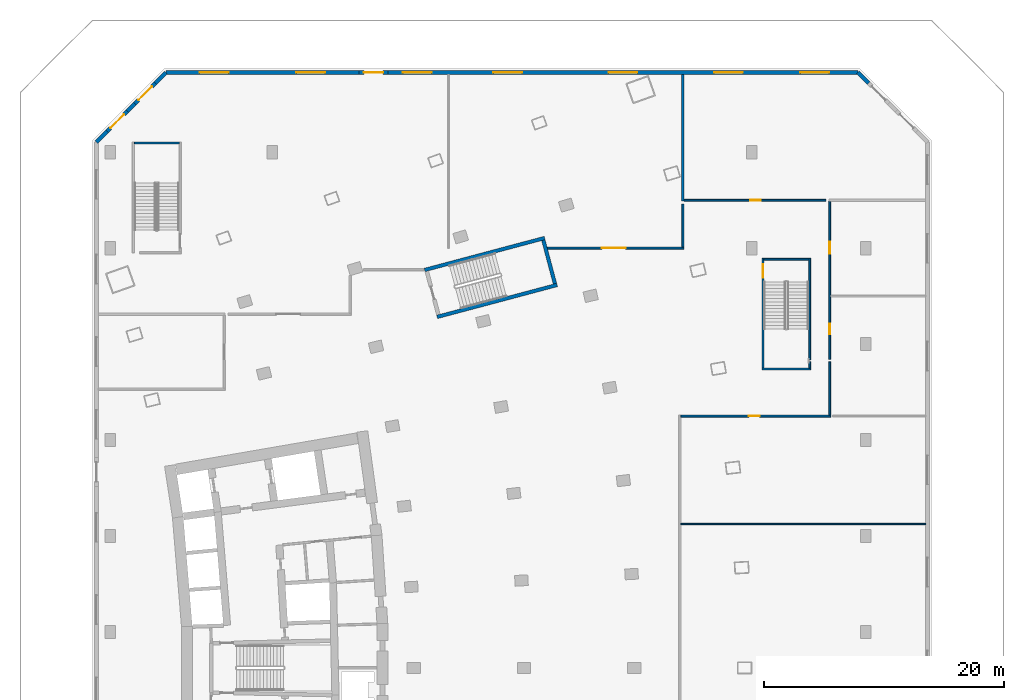
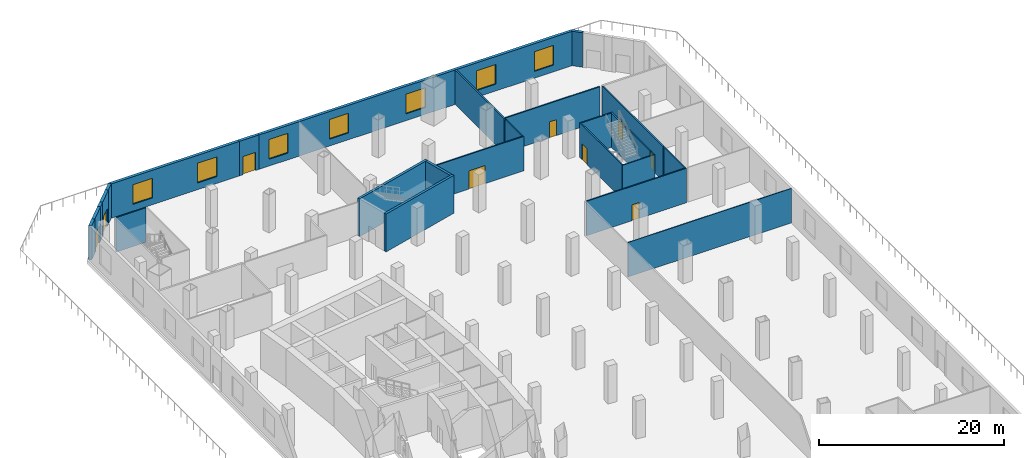
# One storey, part 8 of 15: 26 walls, 9 doors, 7 windows, 16 openings.
"""IFC4 building model written with IfcOpenShell, lengths in metres."""

from ifc_helpers import new_model, si_unit, direction, frame, frame_2d, origin, place, context, subcontext, project, spatial, rectangle, extrude, material, layer, layer_set, type_object, element, fill, save


model = new_model("IFC4")

# Units and contexts
model_context = context("Model", 3, precision=1e-05, world=origin(), true_north=direction((0.0, 1.0)))
body_context = subcontext(model_context, "Body", "Model", "MODEL_VIEW")
ifc_project = project(units=[si_unit("LENGTHUNIT", "METRE"), si_unit("AREAUNIT", "SQUARE_METRE"), si_unit("VOLUMEUNIT", "CUBIC_METRE"), si_unit("PLANEANGLEUNIT", "RADIAN"), si_unit("MASSUNIT", "GRAM", prefix="KILO")], contexts=[model_context])

# Site, building, storey
site_placement = place(None, origin())
site = spatial("IfcSite", under=ifc_project, at=site_placement, CompositionType="ELEMENT")
building_placement = place(site_placement, origin())
building = spatial("IfcBuilding", under=site, at=building_placement, Name="Alderwake Tower", CompositionType="ELEMENT")
storey_placement = place(building_placement, frame((0.0, 0.0, 13.5)))
storey = spatial("IfcBuildingStorey", under=building, at=storey_placement, Name="L02", CompositionType="ELEMENT", Elevation=13.5)

# Walls
ifc_material_1 = material(Name="Concrete C70/85", Category="concrete")
ifc_layer_1 = layer(ifc_material_1, 0.300048828125)
ifc_layer_set_1 = layer_set([ifc_layer_1], Name="Core wall stair enclosure 300 C70-85")
wall_type_1 = type_object("IfcWallType", Name="Core wall stair enclosure 300 C70-85", PredefinedType="SHEAR", material=ifc_layer_set_1)
for number, where, z_axis, x_axis, name in (
    (1, (36.71142578125, 94.182373046875, 0.0), (0.0, 0.0, 1.0), (0.966309214305, 0.257383958996, 0.0), "Core wall CW.082"),
    (2, (37.75390625, 90.268798828125, 0.0), (0.0, 0.0, 1.0), (0.966309214305, 0.257383958996, 0.0), "Core wall CW.084"),
):
    element("IfcWall", number, at=place(storey_placement, frame(where, z_axis=z_axis, x_axis=x_axis)), inside=storey, type_object=wall_type_1, Name=name, PredefinedType="SHEAR", context=body_context, shape_type="SweptSolid", body=[
        extrude(rectangle(XDim=10.360107421875, YDim=0.300048828125, at=frame_2d((5.18017578125, 0.0))), origin(), (0.0, 0.0, 1.0), 5.0),
    ])
wall_1_placement = place(storey_placement, frame((47.581298828125, 93.041748046875, 0.0), z_axis=(0.0, 0.0, 1.0), x_axis=(-0.257366821694, 0.966313778796, 0.0)))
element("IfcWall", 3, at=wall_1_placement, inside=storey, type_object=wall_type_1, Name="Core wall CW.081", PredefinedType="SHEAR", context=body_context, shape_type="SweptSolid", body=[
    extrude(rectangle(XDim=3.749755859375, YDim=0.300048828125, at=frame_2d((1.875, 0.0))), origin(), (0.0, 0.0, 1.0), 5.0),
])

# Wall, opening, door
ifc_material_2 = material(Name="Gypsum board on metal studs, rated")
ifc_layer_2 = layer(ifc_material_2, 0.159912109375)
ifc_layer_set_2 = layer_set([ifc_layer_2], Name="Corridor wall 160")
wall_type_2 = type_object("IfcWallType", Name="Corridor wall 160", PredefinedType="PARTITIONING", material=ifc_layer_set_2)
wall_2_placement = place(storey_placement, frame((58.0791015625, 81.9990234375, 0.0), z_axis=(0.0, 0.0, 1.0), x_axis=(1.0, 0.0, 0.0)))
wall_2 = element("IfcWall", 4, at=wall_2_placement, inside=storey, type_object=wall_type_2, Name="WL/L02/W50", PredefinedType="PARTITIONING", context=body_context, shape_type="SweptSolid", body=[
    extrude(rectangle(XDim=12.5009765625, YDim=0.159912109375, at=frame_2d((6.25048828125, 0.0))), origin(), (0.0, 0.0, 1.0), 4.550048828125),
])
opening_1_placement = place(wall_2_placement, frame((5.6708984375, 0.0, 0.0)))
opening_1 = element("IfcOpeningElement", 5, at=opening_1_placement, cuts=wall_2, Name="Opening L02-02", PredefinedType="OPENING", context=body_context, shape_type="SweptSolid", body=[
    extrude(rectangle(XDim=0.89990234375, YDim=2.10009765625, at=frame_2d((0.449951171875, 1.050048828125))), frame((0.0, 0.08984375, 0.0), z_axis=(0.0, -1.0, 0.0), x_axis=(1.0, 0.0, 0.0)), (0.0, 0.0, 1.0), 0.179931640625),
])
ifc_material_3 = material(Name="Painted timber leaf", Category="wood")
door_type_1 = type_object("IfcDoorType", Name="Room door 900", OperationType="SINGLE_SWING_LEFT", PredefinedType="DOOR", material=ifc_material_3)
door_1_placement = place(opening_1_placement, origin())
door_1 = element("IfcDoor", 6, at=door_1_placement, inside=storey, type_object=door_type_1, Name="DR/L02/02", OperationType="SINGLE_SWING_LEFT", OverallHeight=2.10009765625, OverallWidth=0.89990234375, PredefinedType="DOOR", context=body_context, shape_type="SweptSolid", body=[
    extrude(rectangle(XDim=0.89990234375, YDim=2.10009765625, at=frame_2d((0.449951171875, 1.050048828125))), frame((0.0, 0.02490234375, 0.0), z_axis=(0.0, -1.0, 0.0), x_axis=(1.0, 0.0, 0.0)), (0.0, 0.0, 1.0), 0.050048828125),
])
fill(opening_1, door_1)

wall_3_placement = place(storey_placement, frame((58.3310546875, 96.0, 0.0), z_axis=(0.0, 0.0, 1.0), x_axis=(-1.0, 0.0, 0.0)))
wall_3 = element("IfcWall", 7, at=wall_3_placement, inside=storey, type_object=wall_type_2, Name="WL/L02/W51", PredefinedType="PARTITIONING", context=body_context, shape_type="SweptSolid", body=[
    extrude(rectangle(XDim=11.381103515625, YDim=0.159912109375, at=frame_2d((5.6904296875, 0.0))), origin(), (0.0, 0.0, 1.0), 4.550048828125),
])
opening_2_placement = place(wall_3_placement, frame((4.8310546875, 0.0, 0.0)))
opening_2 = element("IfcOpeningElement", 8, at=opening_2_placement, cuts=wall_3, Name="Opening L02-07", PredefinedType="OPENING", context=body_context, shape_type="SweptSolid", body=[
    extrude(rectangle(XDim=2.0, YDim=2.39990234375, at=frame_2d((1.0, 1.199951171875))), frame((0.0, 0.08984375, 0.0), z_axis=(0.0, -1.0, 0.0), x_axis=(1.0, 0.0, 0.0)), (0.0, 0.0, 1.0), 0.179931640625),
])
ifc_material_4 = material(Name="Timber leaves with glazed panels", Category="wood")
door_type_2 = type_object("IfcDoorType", Name="Hall double door 2000", OperationType="DOUBLE_DOOR_SINGLE_SWING", PredefinedType="DOOR", material=ifc_material_4)
door_2_placement = place(opening_2_placement, origin())
door_2 = element("IfcDoor", 9, at=door_2_placement, inside=storey, type_object=door_type_2, Name="DR/L02/07", OperationType="DOUBLE_DOOR_SINGLE_SWING", OverallHeight=2.39990234375, OverallWidth=2.0, PredefinedType="DOOR", context=body_context, shape_type="SweptSolid", body=[
    extrude(rectangle(XDim=2.0, YDim=2.39990234375, at=frame_2d((1.0, 1.199951171875))), frame((0.0, 0.02490234375, 0.0), z_axis=(0.0, -1.0, 0.0), x_axis=(1.0, 0.0, 0.0)), (0.0, 0.0, 1.0), 0.050048828125),
])
fill(opening_2, door_2)

# Walls
wall_4_placement = place(storey_placement, frame((58.2509765625, 99.665771484375, 0.0), z_axis=(0.0, 0.0, 1.0), x_axis=(0.0, -1.0, 0.0)))
element("IfcWall", 10, at=wall_4_placement, inside=storey, type_object=wall_type_2, Name="WL/L02/W52", PredefinedType="PARTITIONING", context=body_context, shape_type="SweptSolid", body=[
    extrude(rectangle(XDim=3.585693359375, YDim=0.159912109375, at=frame_2d((1.79296875, 0.0))), origin(), (0.0, 0.0, 1.0), 4.550048828125),
])
wall_5_placement = place(storey_placement, frame((70.5, 82.0791015625, 0.0), z_axis=(0.0, 0.0, 1.0), x_axis=(0.0, 1.0, 0.0)))
element("IfcWall", 11, at=wall_5_placement, inside=storey, type_object=wall_type_2, Name="WL/L02/W56", PredefinedType="PARTITIONING", context=body_context, shape_type="SweptSolid", body=[
    extrude(rectangle(XDim=4.43701171875, YDim=0.159912109375, at=frame_2d((2.218505859375, 0.0))), origin(), (0.0, 0.0, 1.0), 4.550048828125),
])

# Wall, openings, doors
wall_6_placement = place(storey_placement, frame((70.5, 86.7236328125, 0.0), z_axis=(0.0, 0.0, 1.0), x_axis=(0.0, 1.0, 0.0)))
wall_6 = element("IfcWall", 12, at=wall_6_placement, inside=storey, type_object=wall_type_2, Name="WL/L02/W57", PredefinedType="PARTITIONING", context=body_context, shape_type="SweptSolid", body=[
    extrude(rectangle(XDim=13.17529296875, YDim=0.159912109375, at=frame_2d((6.587646484375, 0.0))), origin(), (0.0, 0.0, 1.0), 4.550048828125),
])
opening_3_placement = place(wall_6_placement, frame((2.083251953125, 0.0, 0.0)))
opening_3 = element("IfcOpeningElement", 13, at=opening_3_placement, cuts=wall_6, Name="Opening L02-03", PredefinedType="OPENING", context=body_context, shape_type="SweptSolid", body=[
    extrude(rectangle(XDim=0.89990234375, YDim=2.10009765625, at=frame_2d((0.449951171875, 1.050048828125))), frame((0.0, 0.08984375, 0.0), z_axis=(0.0, -1.0, 0.0), x_axis=(1.0, 0.0, 0.0)), (0.0, 0.0, 1.0), 0.179931640625),
])
opening_4_placement = place(wall_6_placement, frame((8.826416015625, 0.0, 0.0)))
opening_4 = element("IfcOpeningElement", 14, at=opening_4_placement, cuts=wall_6, Name="Opening L02-04", PredefinedType="OPENING", context=body_context, shape_type="SweptSolid", body=[
    extrude(rectangle(XDim=1.0, YDim=2.10009765625, at=frame_2d((0.5, 1.050048828125))), frame((0.0, 0.08984375, 0.0), z_axis=(0.0, -1.0, 0.0), x_axis=(1.0, 0.0, 0.0)), (0.0, 0.0, 1.0), 0.179931640625),
])
ifc_material_5 = material(Name="Painted timber leaf", Category="wood")
door_type_3 = type_object("IfcDoorType", Name="Accessible WC door 1000", OperationType="SINGLE_SWING_LEFT", PredefinedType="DOOR", material=ifc_material_5)
door_3_placement = place(opening_4_placement, origin())
door_3 = element("IfcDoor", 15, at=door_3_placement, inside=storey, type_object=door_type_3, Name="DR/L02/04", OperationType="SINGLE_SWING_LEFT", OverallHeight=2.10009765625, OverallWidth=1.0, PredefinedType="DOOR", context=body_context, shape_type="SweptSolid", body=[
    extrude(rectangle(XDim=1.0, YDim=2.10009765625, at=frame_2d((0.5, 1.050048828125))), frame((0.0, 0.02490234375, 0.0), z_axis=(0.0, -1.0, 0.0), x_axis=(1.0, 0.0, 0.0)), (0.0, 0.0, 1.0), 0.050048828125),
])
fill(opening_4, door_3)
door_4_placement = place(opening_3_placement, origin())
door_4 = element("IfcDoor", 16, at=door_4_placement, inside=storey, type_object=door_type_1, Name="DR/L02/03", OperationType="SINGLE_SWING_LEFT", OverallHeight=2.10009765625, OverallWidth=0.89990234375, PredefinedType="DOOR", context=body_context, shape_type="SweptSolid", body=[
    extrude(rectangle(XDim=0.89990234375, YDim=2.10009765625, at=frame_2d((0.449951171875, 1.050048828125))), frame((0.0, 0.02490234375, 0.0), z_axis=(0.0, -1.0, 0.0), x_axis=(1.0, 0.0, 0.0)), (0.0, 0.0, 1.0), 0.050048828125),
])
fill(opening_3, door_4)

# Wall, opening, door
wall_7_placement = place(storey_placement, frame((70.166748046875, 99.9990234375, 0.0), z_axis=(0.0, 0.0, 1.0), x_axis=(-1.0, 0.0, 0.0)))
wall_7 = element("IfcWall", 17, at=wall_7_placement, inside=storey, type_object=wall_type_2, Name="WL/L02/W58", PredefinedType="PARTITIONING", context=body_context, shape_type="SweptSolid", body=[
    extrude(rectangle(XDim=11.815673828125, YDim=0.159912109375, at=frame_2d((5.90771484375, 0.0))), origin(), (0.0, 0.0, 1.0), 4.550048828125),
])
opening_5_placement = place(wall_7_placement, frame((5.416748046875, 0.0, 0.0)))
opening_5 = element("IfcOpeningElement", 18, at=opening_5_placement, cuts=wall_7, Name="Opening L02-05", PredefinedType="OPENING", context=body_context, shape_type="SweptSolid", body=[
    extrude(rectangle(XDim=0.89990234375, YDim=2.10009765625, at=frame_2d((0.449951171875, 1.050048828125))), frame((0.0, 0.08984375, 0.0), z_axis=(0.0, -1.0, 0.0), x_axis=(1.0, 0.0, 0.0)), (0.0, 0.0, 1.0), 0.179931640625),
])
door_5_placement = place(opening_5_placement, origin())
door_5 = element("IfcDoor", 19, at=door_5_placement, inside=storey, type_object=door_type_1, Name="DR/L02/05", OperationType="SINGLE_SWING_LEFT", OverallHeight=2.10009765625, OverallWidth=0.89990234375, PredefinedType="DOOR", context=body_context, shape_type="SweptSolid", body=[
    extrude(rectangle(XDim=0.89990234375, YDim=2.10009765625, at=frame_2d((0.449951171875, 1.050048828125))), frame((0.0, 0.02490234375, 0.0), z_axis=(0.0, -1.0, 0.0), x_axis=(1.0, 0.0, 0.0)), (0.0, 0.0, 1.0), 0.050048828125),
])
fill(opening_5, door_5)

# Wall
ifc_material_6 = material(Name="Precast concrete C50/60 spandrel panel", Category="concrete")
ifc_layer_3 = layer(ifc_material_6, 0.35009765625)
ifc_layer_set_3 = layer_set([ifc_layer_3], Name="External wall EW4 Precast concrete C50/60 podium")
wall_type_3 = type_object("IfcWallType", Name="External wall EW4 Precast concrete C50/60 podium", PredefinedType="SOLIDWALL", material=ifc_layer_set_3)
wall_8_placement = place(storey_placement, frame((73.737548828125, 109.767578125, 0.0), z_axis=(0.0, 0.0, 1.0), x_axis=(-0.707106781187, 0.707106781187, 0.0)))
element("IfcWall", 20, at=wall_8_placement, inside=storey, type_object=wall_type_3, Name="External wall 18", PredefinedType="SOLIDWALL", context=body_context, shape_type="SweptSolid", body=[
    extrude(rectangle(XDim=1.262939453125, YDim=0.35009765625, at=frame_2d((0.63134765625, 0.0))), origin(), (0.0, 0.0, 1.0), 4.550048828125),
])

# Wall, openings, windows
wall_9_placement = place(storey_placement, frame((72.85498046875, 110.64990234375, 0.0), z_axis=(0.0, 0.0, 1.0), x_axis=(-1.0, 0.0, 0.0)))
wall_9 = element("IfcWall", 21, at=wall_9_placement, inside=storey, type_object=wall_type_3, Name="External wall 19", PredefinedType="SOLIDWALL", context=body_context, shape_type="SweptSolid", body=[
    extrude(rectangle(XDim=39.20751953125, YDim=0.35009765625, at=frame_2d((19.603759765625, 0.0))), origin(), (0.0, 0.0, 1.0), 4.550048828125),
])
opening_6_placement = place(wall_9_placement, frame((2.40087890625, 0.0, 0.89990234375)))
opening_6 = element("IfcOpeningElement", 22, at=opening_6_placement, cuts=wall_9, Name="Opening W6", PredefinedType="OPENING", context=body_context, shape_type="SweptSolid", body=[
    extrude(rectangle(XDim=2.39990234375, YDim=2.60009765625, at=frame_2d((1.199951171875, 1.300048828125))), frame((0.0, 0.18505859375, 0.0), z_axis=(0.0, -1.0, 0.0), x_axis=(1.0, 0.0, 0.0)), (0.0, 0.0, 1.0), 0.3701171875),
])
opening_7_placement = place(wall_9_placement, frame((9.60302734375, 0.0, 0.89990234375)))
opening_7 = element("IfcOpeningElement", 23, at=opening_7_placement, cuts=wall_9, Name="Opening W6", PredefinedType="OPENING", context=body_context, shape_type="SweptSolid", body=[
    extrude(rectangle(XDim=2.39990234375, YDim=2.60009765625, at=frame_2d((1.199951171875, 1.300048828125))), frame((0.0, 0.18505859375, 0.0), z_axis=(0.0, -1.0, 0.0), x_axis=(1.0, 0.0, 0.0)), (0.0, 0.0, 1.0), 0.3701171875),
])
opening_8_placement = place(wall_9_placement, frame((18.404296875, 0.0, 0.89990234375)))
opening_8 = element("IfcOpeningElement", 24, at=opening_8_placement, cuts=wall_9, Name="Opening W6", PredefinedType="OPENING", context=body_context, shape_type="SweptSolid", body=[
    extrude(rectangle(XDim=2.39990234375, YDim=2.60009765625, at=frame_2d((1.199951171875, 1.300048828125))), frame((0.0, 0.18505859375, 0.0), z_axis=(0.0, -1.0, 0.0), x_axis=(1.0, 0.0, 0.0)), (0.0, 0.0, 1.0), 0.3701171875),
])
opening_9_placement = place(wall_9_placement, frame((28.0048828125, 0.0, 0.89990234375)))
opening_9 = element("IfcOpeningElement", 25, at=opening_9_placement, cuts=wall_9, Name="Opening W6", PredefinedType="OPENING", context=body_context, shape_type="SweptSolid", body=[
    extrude(rectangle(XDim=2.39990234375, YDim=2.60009765625, at=frame_2d((1.199951171875, 1.300048828125))), frame((0.0, 0.18505859375, 0.0), z_axis=(0.0, -1.0, 0.0), x_axis=(1.0, 0.0, 0.0)), (0.0, 0.0, 1.0), 0.3701171875),
])
opening_10_placement = place(wall_9_placement, frame((35.556396484375, 0.0, 0.89990234375)))
opening_10 = element("IfcOpeningElement", 26, at=opening_10_placement, cuts=wall_9, Name="Opening W6", PredefinedType="OPENING", context=body_context, shape_type="SweptSolid", body=[
    extrude(rectangle(XDim=2.39990234375, YDim=2.60009765625, at=frame_2d((1.199951171875, 1.300048828125))), frame((0.0, 0.18505859375, 0.0), z_axis=(0.0, -1.0, 0.0), x_axis=(1.0, 0.0, 0.0)), (0.0, 0.0, 1.0), 0.3701171875),
])
ifc_material_7 = material(Name="Bronze tinted glass in aluminium frame", Category="aluminium")
window_type = type_object("IfcWindowType", Name="Window W6 podium", PartitioningType="DOUBLE_PANEL_VERTICAL", PredefinedType="WINDOW", material=ifc_material_7)
window_1_placement = place(opening_6_placement, origin())
window_1 = element("IfcWindow", 27, at=window_1_placement, inside=storey, type_object=window_type, Name="Window W6 podium", OverallHeight=2.60009765625, OverallWidth=2.39990234375, PartitioningType="DOUBLE_PANEL_VERTICAL", PredefinedType="WINDOW", context=body_context, shape_type="SweptSolid", body=[
    extrude(rectangle(XDim=2.39990234375, YDim=2.60009765625, at=frame_2d((1.199951171875, 1.300048828125))), frame((0.0, 0.030029296875, 0.0), z_axis=(0.0, -1.0, 0.0), x_axis=(1.0, 0.0, 0.0)), (0.0, 0.0, 1.0), 0.06005859375),
])
fill(opening_6, window_1)
window_2_placement = place(opening_7_placement, origin())
window_2 = element("IfcWindow", 28, at=window_2_placement, inside=storey, type_object=window_type, Name="Window W6 podium", OverallHeight=2.60009765625, OverallWidth=2.39990234375, PartitioningType="DOUBLE_PANEL_VERTICAL", PredefinedType="WINDOW", context=body_context, shape_type="SweptSolid", body=[
    extrude(rectangle(XDim=2.39990234375, YDim=2.60009765625, at=frame_2d((1.199951171875, 1.300048828125))), frame((0.0, 0.030029296875, 0.0), z_axis=(0.0, -1.0, 0.0), x_axis=(1.0, 0.0, 0.0)), (0.0, 0.0, 1.0), 0.06005859375),
])
fill(opening_7, window_2)
window_3_placement = place(opening_8_placement, origin())
window_3 = element("IfcWindow", 29, at=window_3_placement, inside=storey, type_object=window_type, Name="Window W6 podium", OverallHeight=2.60009765625, OverallWidth=2.39990234375, PartitioningType="DOUBLE_PANEL_VERTICAL", PredefinedType="WINDOW", context=body_context, shape_type="SweptSolid", body=[
    extrude(rectangle(XDim=2.39990234375, YDim=2.60009765625, at=frame_2d((1.199951171875, 1.300048828125))), frame((0.0, 0.030029296875, 0.0), z_axis=(0.0, -1.0, 0.0), x_axis=(1.0, 0.0, 0.0)), (0.0, 0.0, 1.0), 0.06005859375),
])
fill(opening_8, window_3)
window_4_placement = place(opening_9_placement, origin())
window_4 = element("IfcWindow", 30, at=window_4_placement, inside=storey, type_object=window_type, Name="Window W6 podium", OverallHeight=2.60009765625, OverallWidth=2.39990234375, PartitioningType="DOUBLE_PANEL_VERTICAL", PredefinedType="WINDOW", context=body_context, shape_type="SweptSolid", body=[
    extrude(rectangle(XDim=2.39990234375, YDim=2.60009765625, at=frame_2d((1.199951171875, 1.300048828125))), frame((0.0, 0.030029296875, 0.0), z_axis=(0.0, -1.0, 0.0), x_axis=(1.0, 0.0, 0.0)), (0.0, 0.0, 1.0), 0.06005859375),
])
fill(opening_9, window_4)
window_5_placement = place(opening_10_placement, origin())
window_5 = element("IfcWindow", 31, at=window_5_placement, inside=storey, type_object=window_type, Name="Window W6 podium", OverallHeight=2.60009765625, OverallWidth=2.39990234375, PartitioningType="DOUBLE_PANEL_VERTICAL", PredefinedType="WINDOW", context=body_context, shape_type="SweptSolid", body=[
    extrude(rectangle(XDim=2.39990234375, YDim=2.60009765625, at=frame_2d((1.199951171875, 1.300048828125))), frame((0.0, 0.030029296875, 0.0), z_axis=(0.0, -1.0, 0.0), x_axis=(1.0, 0.0, 0.0)), (0.0, 0.0, 1.0), 0.06005859375),
])
fill(opening_10, window_5)

# Wall, opening, door
wall_10_placement = place(storey_placement, frame((33.6474609375, 110.64990234375, 0.0), z_axis=(0.0, 0.0, 1.0), x_axis=(-1.0, 0.0, 0.0)))
wall_10 = element("IfcWall", 32, at=wall_10_placement, inside=storey, type_object=wall_type_3, Name="External wall 20", PredefinedType="SOLIDWALL", context=body_context, shape_type="SweptSolid", body=[
    extrude(rectangle(XDim=2.39990234375, YDim=0.35009765625, at=frame_2d((1.199951171875, 0.0))), origin(), (0.0, 0.0, 1.0), 4.550048828125),
])
opening_11_placement = place(wall_10_placement, frame((0.39990234375, 0.0, 0.0)))
opening_11 = element("IfcOpeningElement", 33, at=opening_11_placement, cuts=wall_10, Name="Opening D08", PredefinedType="OPENING", context=body_context, shape_type="SweptSolid", body=[
    extrude(rectangle(XDim=1.60009765625, YDim=2.39990234375, at=frame_2d((0.800048828125, 1.199951171875))), frame((0.0, 0.18505859375, 0.0), z_axis=(0.0, -1.0, 0.0), x_axis=(1.0, 0.0, 0.0)), (0.0, 0.0, 1.0), 0.3701171875),
])
ifc_material_8 = material(Name="Bronze tinted glass in aluminium frame", Category="aluminium")
door_type_4 = type_object("IfcDoorType", Name="Terrace door TD sliding", OperationType="SLIDING_TO_LEFT", PredefinedType="DOOR", material=ifc_material_8)
door_6_placement = place(opening_11_placement, origin())
door_6 = element("IfcDoor", 34, at=door_6_placement, inside=storey, type_object=door_type_4, Name="Door D08", OperationType="SLIDING_TO_LEFT", OverallHeight=2.39990234375, OverallWidth=1.60009765625, PredefinedType="DOOR", context=body_context, shape_type="SweptSolid", body=[
    extrude(rectangle(XDim=1.60009765625, YDim=2.39990234375, at=frame_2d((0.800048828125, 1.199951171875))), frame((0.0, 0.02490234375, 0.0), z_axis=(0.0, -1.0, 0.0), x_axis=(1.0, 0.0, 0.0)), (0.0, 0.0, 1.0), 0.050048828125),
])
fill(opening_11, door_6)

# Wall, openings, windows
wall_11_placement = place(storey_placement, frame((31.24755859375, 110.64990234375, 0.0), z_axis=(0.0, 0.0, 1.0), x_axis=(-1.0, 0.0, 0.0)))
wall_11 = element("IfcWall", 35, at=wall_11_placement, inside=storey, type_object=wall_type_3, Name="External wall 21", PredefinedType="SOLIDWALL", context=body_context, shape_type="SweptSolid", body=[
    extrude(rectangle(XDim=16.11767578125, YDim=0.35009765625, at=frame_2d((8.058837890625, 0.0))), origin(), (0.0, 0.0, 1.0), 4.550048828125),
])
opening_12_placement = place(wall_11_placement, frame((2.829345703125, 0.0, 0.89990234375)))
opening_12 = element("IfcOpeningElement", 36, at=opening_12_placement, cuts=wall_11, Name="Opening W6", PredefinedType="OPENING", context=body_context, shape_type="SweptSolid", body=[
    extrude(rectangle(XDim=2.39990234375, YDim=2.60009765625, at=frame_2d((1.199951171875, 1.300048828125))), frame((0.0, 0.18505859375, 0.0), z_axis=(0.0, -1.0, 0.0), x_axis=(1.0, 0.0, 0.0)), (0.0, 0.0, 1.0), 0.3701171875),
])
opening_13_placement = place(wall_11_placement, frame((10.88818359375, 0.0, 0.89990234375)))
opening_13 = element("IfcOpeningElement", 37, at=opening_13_placement, cuts=wall_11, Name="Opening W6", PredefinedType="OPENING", context=body_context, shape_type="SweptSolid", body=[
    extrude(rectangle(XDim=2.39990234375, YDim=2.60009765625, at=frame_2d((1.199951171875, 1.300048828125))), frame((0.0, 0.18505859375, 0.0), z_axis=(0.0, -1.0, 0.0), x_axis=(1.0, 0.0, 0.0)), (0.0, 0.0, 1.0), 0.3701171875),
])
window_6_placement = place(opening_12_placement, origin())
window_6 = element("IfcWindow", 38, at=window_6_placement, inside=storey, type_object=window_type, Name="Window W6 podium", OverallHeight=2.60009765625, OverallWidth=2.39990234375, PartitioningType="DOUBLE_PANEL_VERTICAL", PredefinedType="WINDOW", context=body_context, shape_type="SweptSolid", body=[
    extrude(rectangle(XDim=2.39990234375, YDim=2.60009765625, at=frame_2d((1.199951171875, 1.300048828125))), frame((0.0, 0.030029296875, 0.0), z_axis=(0.0, -1.0, 0.0), x_axis=(1.0, 0.0, 0.0)), (0.0, 0.0, 1.0), 0.06005859375),
])
fill(opening_12, window_6)
window_7_placement = place(opening_13_placement, origin())
window_7 = element("IfcWindow", 39, at=window_7_placement, inside=storey, type_object=window_type, Name="Window W6 podium", OverallHeight=2.60009765625, OverallWidth=2.39990234375, PartitioningType="DOUBLE_PANEL_VERTICAL", PredefinedType="WINDOW", context=body_context, shape_type="SweptSolid", body=[
    extrude(rectangle(XDim=2.39990234375, YDim=2.60009765625, at=frame_2d((1.199951171875, 1.300048828125))), frame((0.0, 0.030029296875, 0.0), z_axis=(0.0, -1.0, 0.0), x_axis=(1.0, 0.0, 0.0)), (0.0, 0.0, 1.0), 0.06005859375),
])
fill(opening_13, window_7)

# Wall
wall_12_placement = place(storey_placement, frame((15.14501953125, 110.64990234375, 0.0), z_axis=(0.0, 0.0, 1.0), x_axis=(-0.707203413475, -0.707010135691, 0.0)))
element("IfcWall", 40, at=wall_12_placement, inside=storey, type_object=wall_type_3, Name="External wall 22", PredefinedType="SOLIDWALL", context=body_context, shape_type="SweptSolid", body=[
    extrude(rectangle(XDim=1.26318359375, YDim=0.35009765625, at=frame_2d((0.631591796875, 0.0))), origin(), (0.0, 0.0, 1.0), 4.550048828125),
])

# Wall, opening, door
wall_13_placement = place(storey_placement, frame((14.251708984375, 109.7568359375, 0.0), z_axis=(0.0, 0.0, 1.0), x_axis=(-0.707106781187, -0.707106781187, 0.0)))
wall_13 = element("IfcWall", 41, at=wall_13_placement, inside=storey, type_object=wall_type_3, Name="External wall 23", PredefinedType="SOLIDWALL", context=body_context, shape_type="SweptSolid", body=[
    extrude(rectangle(XDim=2.39990234375, YDim=0.35009765625, at=frame_2d((1.199951171875, 0.0))), origin(), (0.0, 0.0, 1.0), 4.550048828125),
])
opening_14_placement = place(wall_13_placement, frame((0.39990234375, 0.0, 0.0)))
opening_14 = element("IfcOpeningElement", 42, at=opening_14_placement, cuts=wall_13, Name="Opening D09", PredefinedType="OPENING", context=body_context, shape_type="SweptSolid", body=[
    extrude(rectangle(XDim=1.60009765625, YDim=2.39990234375, at=frame_2d((0.800048828125, 1.199951171875))), frame((0.0, 0.18505859375, 0.0), z_axis=(0.0, -1.0, 0.0), x_axis=(1.0, 0.0, 0.0)), (0.0, 0.0, 1.0), 0.3701171875),
])
door_7_placement = place(opening_14_placement, origin())
door_7 = element("IfcDoor", 43, at=door_7_placement, inside=storey, type_object=door_type_4, Name="Door D09", OperationType="SLIDING_TO_LEFT", OverallHeight=2.39990234375, OverallWidth=1.60009765625, PredefinedType="DOOR", context=body_context, shape_type="SweptSolid", body=[
    extrude(rectangle(XDim=1.60009765625, YDim=2.39990234375, at=frame_2d((0.800048828125, 1.199951171875))), frame((0.0, 0.02490234375, 0.0), z_axis=(0.0, -1.0, 0.0), x_axis=(1.0, 0.0, 0.0)), (0.0, 0.0, 1.0), 0.050048828125),
])
fill(opening_14, door_7)

# Wall
wall_14_placement = place(storey_placement, frame((12.5546875, 108.059814453125, 0.0), z_axis=(0.0, 0.0, 1.0), x_axis=(-0.706968687883, -0.707244847527, 0.0)))
element("IfcWall", 44, at=wall_14_placement, inside=storey, type_object=wall_type_3, Name="External wall 24", PredefinedType="SOLIDWALL", context=body_context, shape_type="SweptSolid", body=[
    extrude(rectangle(XDim=0.884033203125, YDim=0.35009765625, at=frame_2d((0.44189453125, 0.0))), origin(), (0.0, 0.0, 1.0), 4.550048828125),
])

# Wall, opening, door
wall_15_placement = place(storey_placement, frame((11.9296875, 107.4345703125, 0.0), z_axis=(0.0, 0.0, 1.0), x_axis=(-0.707157639372, -0.707055919343, 0.0)))
wall_15 = element("IfcWall", 45, at=wall_15_placement, inside=storey, type_object=wall_type_3, Name="External wall 25", PredefinedType="SOLIDWALL", context=body_context, shape_type="SweptSolid", body=[
    extrude(rectangle(XDim=2.400146484375, YDim=0.35009765625, at=frame_2d((1.2001953125, 0.0))), origin(), (0.0, 0.0, 1.0), 4.550048828125),
])
opening_15_placement = place(wall_15_placement, frame((0.39990234375, 0.0, 0.0)))
opening_15 = element("IfcOpeningElement", 46, at=opening_15_placement, cuts=wall_15, Name="Opening D10", PredefinedType="OPENING", context=body_context, shape_type="SweptSolid", body=[
    extrude(rectangle(XDim=1.60009765625, YDim=2.39990234375, at=frame_2d((0.800048828125, 1.199951171875))), frame((0.0, 0.18505859375, 0.0), z_axis=(0.0, -1.0, 0.0), x_axis=(1.0, 0.0, 0.0)), (0.0, 0.0, 1.0), 0.3701171875),
])
door_8_placement = place(opening_15_placement, origin())
door_8 = element("IfcDoor", 47, at=door_8_placement, inside=storey, type_object=door_type_4, Name="Door D10", OperationType="SLIDING_TO_LEFT", OverallHeight=2.39990234375, OverallWidth=1.60009765625, PredefinedType="DOOR", context=body_context, shape_type="SweptSolid", body=[
    extrude(rectangle(XDim=1.60009765625, YDim=2.39990234375, at=frame_2d((0.800048828125, 1.199951171875))), frame((0.0, 0.02490234375, 0.0), z_axis=(0.0, -1.0, 0.0), x_axis=(1.0, 0.0, 0.0)), (0.0, 0.0, 1.0), 0.050048828125),
])
fill(opening_15, door_8)

# Walls
wall_16_placement = place(storey_placement, frame((10.232421875, 105.737548828125, 0.0), z_axis=(0.0, 0.0, 1.0), x_axis=(-0.707106781187, -0.707106781187, 0.0)))
element("IfcWall", 48, at=wall_16_placement, inside=storey, type_object=wall_type_3, Name="External wall 26", PredefinedType="SOLIDWALL", context=body_context, shape_type="SweptSolid", body=[
    extrude(rectangle(XDim=1.262939453125, YDim=0.35009765625, at=frame_2d((0.63134765625, 0.0))), origin(), (0.0, 0.0, 1.0), 4.550048828125),
])
ifc_material_9 = material(Name="Dense block masonry wall", Category="masonry")
ifc_layer_4 = layer(ifc_material_9, 0.199951171875)
ifc_layer_set_4 = layer_set([ifc_layer_4], Name="Party wall 200")
wall_type_4 = type_object("IfcWallType", Name="Party wall 200", PredefinedType="SOLIDWALL", material=ifc_layer_set_4)
wall_17_placement = place(storey_placement, frame((58.2509765625, 110.4990234375, 0.0), z_axis=(0.0, 0.0, 1.0), x_axis=(0.0, -1.0, 0.0)))
element("IfcWall", 49, at=wall_17_placement, inside=storey, type_object=wall_type_4, Name="WL/L02/W02", PredefinedType="SOLIDWALL", context=body_context, shape_type="SweptSolid", body=[
    extrude(rectangle(XDim=10.580078125, YDim=0.199951171875, at=frame_2d((5.2900390625, 0.0))), origin(), (0.0, 0.0, 1.0), 4.550048828125),
])
ifc_material_10 = material(Name="Gypsum shaft wall system, rated")
ifc_layer_5 = layer(ifc_material_10, 0.14990234375)
ifc_layer_set_5 = layer_set([ifc_layer_5], Name="Riser and shaft wall 150")
wall_type_5 = type_object("IfcWallType", Name="Riser and shaft wall 150", PredefinedType="PARTITIONING", material=ifc_layer_set_5)
wall_18_placement = place(storey_placement, frame((68.7509765625, 95.075927734375, 0.0), z_axis=(0.0, 0.0, 1.0), x_axis=(-1.0, 0.0, 0.0)))
element("IfcWall", 50, at=wall_18_placement, inside=storey, type_object=wall_type_5, Name="WL/L02/W20", PredefinedType="PARTITIONING", context=body_context, shape_type="SweptSolid", body=[
    extrude(rectangle(XDim=3.75, YDim=0.14990234375, at=frame_2d((1.875, 0.0))), origin(), (0.0, 0.0, 1.0), 4.550048828125),
])
ifc_material_11 = material(Name="Concrete C40/50", Category="concrete")
ifc_layer_6 = layer(ifc_material_11, 0.14990234375)
ifc_layer_set_6 = layer_set([ifc_layer_6], Name="Stair shaft wall 150 C40/50")
wall_type_6 = type_object("IfcWallType", Name="Stair shaft wall 150 C40/50", PredefinedType="SHEAR", material=ifc_layer_set_6)
wall_19_placement = place(storey_placement, frame((16.2509765625, 104.77490234375, 0.0), z_axis=(0.0, 0.0, 1.0), x_axis=(-1.0, 0.0, 0.0)))
element("IfcWall", 51, at=wall_19_placement, inside=storey, type_object=wall_type_6, Name="WL/L02/W11", PredefinedType="SHEAR", context=body_context, shape_type="SweptSolid", body=[
    extrude(rectangle(XDim=3.75, YDim=0.14990234375, at=frame_2d((1.875, 0.0))), origin(), (0.0, 0.0, 1.0), 4.550048828125),
])
wall_20_placement = place(storey_placement, frame((64.85107421875, 85.926025390625, 0.0), z_axis=(0.0, 0.0, 1.0), x_axis=(1.0, 0.0, 0.0)))
element("IfcWall", 52, at=wall_20_placement, inside=storey, type_object=wall_type_6, Name="WL/L02/W14", PredefinedType="SHEAR", context=body_context, shape_type="SweptSolid", body=[
    extrude(rectangle(XDim=4.0498046875, YDim=0.14990234375, at=frame_2d((2.02490234375, 0.0))), origin(), (0.0, 0.0, 1.0), 4.550048828125),
])

# Wall, opening, door
wall_21_placement = place(storey_placement, frame((64.926025390625, 86.0009765625, 0.0), z_axis=(0.0, 0.0, 1.0), x_axis=(0.0, 1.0, 0.0)))
wall_21 = element("IfcWall", 53, at=wall_21_placement, inside=storey, type_object=wall_type_6, Name="WL/L02/W15", PredefinedType="SHEAR", context=body_context, shape_type="SweptSolid", body=[
    extrude(rectangle(XDim=9.14990234375, YDim=0.14990234375, at=frame_2d((4.574951171875, 0.0))), origin(), (0.0, 0.0, 1.0), 4.550048828125),
])
opening_16_placement = place(wall_21_placement, frame((7.549072265625, 0.0, 0.0)))
opening_16 = element("IfcOpeningElement", 54, at=opening_16_placement, cuts=wall_21, Name="Opening L02-18", PredefinedType="OPENING", context=body_context, shape_type="SweptSolid", body=[
    extrude(rectangle(XDim=1.10009765625, YDim=2.10009765625, at=frame_2d((0.550048828125, 1.050048828125))), frame((0.0, 0.0849609375, 0.0), z_axis=(0.0, -1.0, 0.0), x_axis=(1.0, 0.0, 0.0)), (0.0, 0.0, 1.0), 0.169921875),
])
ifc_material_12 = material(Name="Steel-framed fire door leaf", Category="steel")
door_type_5 = type_object("IfcDoorType", Name="Stair door 1100 fire-rated", OperationType="SINGLE_SWING_LEFT", PredefinedType="DOOR", material=ifc_material_12)
door_9_placement = place(opening_16_placement, origin())
door_9 = element("IfcDoor", 55, at=door_9_placement, inside=storey, type_object=door_type_5, Name="DR/L02/18", OperationType="SINGLE_SWING_LEFT", OverallHeight=2.10009765625, OverallWidth=1.10009765625, PredefinedType="DOOR", context=body_context, shape_type="SweptSolid", body=[
    extrude(rectangle(XDim=1.10009765625, YDim=2.10009765625, at=frame_2d((0.550048828125, 1.050048828125))), frame((0.0, 0.02490234375, 0.0), z_axis=(0.0, -1.0, 0.0), x_axis=(1.0, 0.0, 0.0)), (0.0, 0.0, 1.0), 0.050048828125),
])
fill(opening_16, door_9)

# Walls
wall_22_placement = place(storey_placement, frame((68.825927734375, 86.0009765625, 0.0), z_axis=(0.0, 0.0, 1.0), x_axis=(0.0, 1.0, 0.0)))
element("IfcWall", 56, at=wall_22_placement, inside=storey, type_object=wall_type_6, Name="WL/L02/W18", PredefinedType="SHEAR", context=body_context, shape_type="SweptSolid", body=[
    extrude(rectangle(XDim=0.510009765625, YDim=0.14990234375, at=frame_2d((0.2548828125, 0.0))), origin(), (0.0, 0.0, 1.0), 4.550048828125),
])
wall_23_placement = place(storey_placement, frame((68.825927734375, 86.70703125, 0.0), z_axis=(0.0, 0.0, 1.0), x_axis=(0.0, 1.0, 0.0)))
element("IfcWall", 57, at=wall_23_placement, inside=storey, type_object=wall_type_6, Name="WL/L02/W19", PredefinedType="SHEAR", context=body_context, shape_type="SweptSolid", body=[
    extrude(rectangle(XDim=8.44384765625, YDim=0.14990234375, at=frame_2d((4.221923828125, 0.0))), origin(), (0.0, 0.0, 1.0), 4.550048828125),
])
ifc_material_13 = material(Name="Gypsum board on metal studs")
ifc_layer_7 = layer(ifc_material_13, 0.10009765625)
ifc_layer_set_7 = layer_set([ifc_layer_7], Name="Unit partition 100")
wall_type_7 = type_object("IfcWallType", Name="Unit partition 100", PredefinedType="PARTITIONING", material=ifc_layer_set_7)
wall_24_placement = place(storey_placement, frame((78.5009765625, 72.9990234375, 0.0), z_axis=(0.0, 0.0, 1.0), x_axis=(-1.0, 0.0, 0.0)))
element("IfcWall", 58, at=wall_24_placement, inside=storey, type_object=wall_type_7, Name="WL/L02/W65", PredefinedType="PARTITIONING", context=body_context, shape_type="SweptSolid", body=[
    extrude(rectangle(XDim=20.421875, YDim=0.10009765625, at=frame_2d((10.2109375, 0.0))), origin(), (0.0, 0.0, 1.0), 4.550048828125),
])

save(model, "model.ifc")
